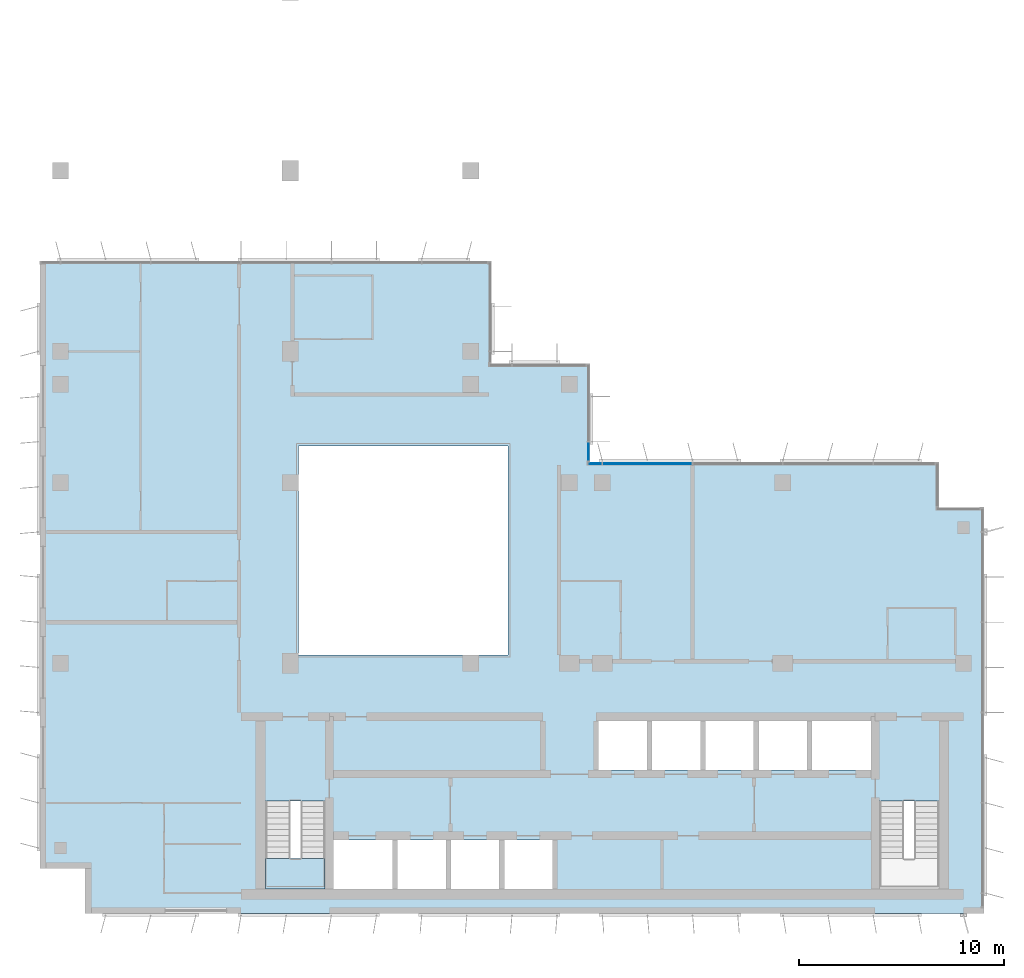
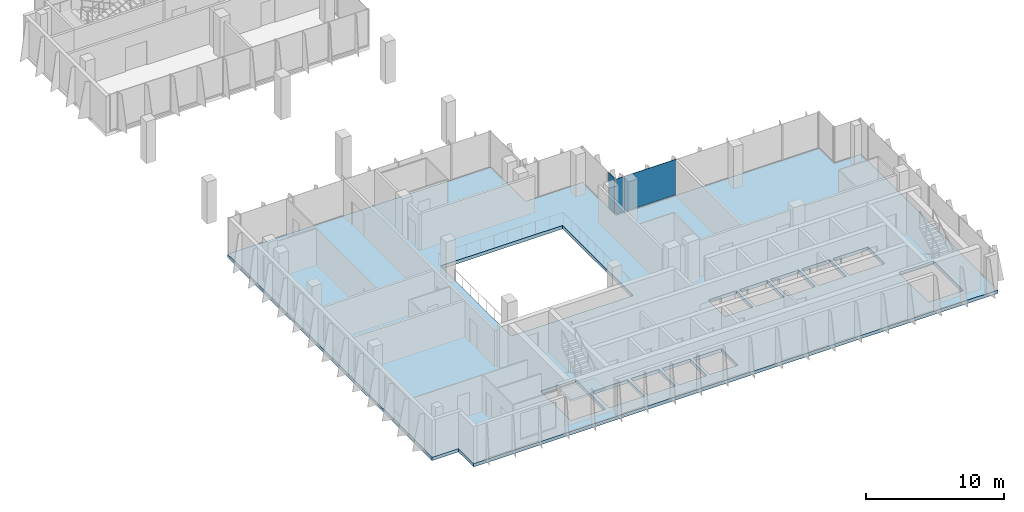
# One storey, part 6 of 13: 3 plates, 2 slabs, 3 elements without a shape of their own.
"""IFC4 building model written with IfcOpenShell, lengths in metres."""

from ifc_helpers import new_model, si_unit, direction, frame, origin, origin_2d, place, context, subcontext, project, spatial, polyline, rectangle, outline, extrude, source, transform, mapped, material, layer, layer_set, type_object, element, aggregate, save


model = new_model("IFC4")

# Units and contexts
model_context = context("Model", 3, precision=1e-05, world=origin(), true_north=direction((0.0, 1.0)))
body_context = subcontext(model_context, "Body", "Model", "MODEL_VIEW")
ifc_project = project(units=[si_unit("LENGTHUNIT", "METRE"), si_unit("AREAUNIT", "SQUARE_METRE"), si_unit("VOLUMEUNIT", "CUBIC_METRE"), si_unit("PLANEANGLEUNIT", "RADIAN"), si_unit("MASSUNIT", "GRAM", prefix="KILO")], contexts=[model_context])

# Site, building, storey
site_placement = place(None, origin())
site = spatial("IfcSite", under=ifc_project, at=site_placement, CompositionType="ELEMENT")
building_placement = place(site_placement, origin())
building = spatial("IfcBuilding", under=site, at=building_placement, Name="Kemantara Hotel Tower", CompositionType="ELEMENT")
storey_placement = place(building_placement, frame((0.0, 0.0, 252.39990234375)))
storey = spatial("IfcBuildingStorey", under=building, at=storey_placement, Name="L63", CompositionType="ELEMENT", Elevation=252.39990234375)

# Slab
ifc_material_1 = material(Name="Concrete fc 40 MPa", Category="concrete")
ifc_layer_1 = layer(ifc_material_1, 0.300048828125)
ifc_layer_set_1 = layer_set([ifc_layer_1], Name="Concrete fc 40 MPa")
slab_type_1 = type_object("IfcSlabType", Name="POST-TENSIONED FLAT PLATE 300", PredefinedType="FLOOR", material=ifc_layer_set_1)
slab_1_placement = place(storey_placement, frame((0.0, 0.0, -0.2998046875)))
element("IfcSlab", 1, at=slab_1_placement, inside=storey, type_object=slab_type_1, Name="FLOOR SLAB L63", PredefinedType="FLOOR", context=body_context, shape_type="SweptSolid", body=[
    extrude(outline(polyline([(26.800048828125, 22.0), (26.800048828125, 26.800048828125), (22.0, 26.800048828125), (22.0, 31.800048828125), (0.0, 31.800048828125), (0.0, 2.199951171875), (2.199951171875, 2.199951171875), (2.199951171875, 0.0), (46.0, 0.0), (46.0, 19.800048828125), (43.800048828125, 19.800048828125), (43.800048828125, 22.0), (26.800048828125, 22.0)]), holes=[polyline([(17.175048828125, 3.60009765625), (17.175048828125, 1.199951171875), (14.22509765625, 1.199951171875), (14.22509765625, 3.60009765625), (17.175048828125, 3.60009765625)]), polyline([(19.77490234375, 1.199951171875), (17.425048828125, 1.199951171875), (17.425048828125, 3.60009765625), (19.77490234375, 3.60009765625), (19.77490234375, 1.199951171875)]), polyline([(22.375, 1.199951171875), (20.02490234375, 1.199951171875), (20.02490234375, 3.60009765625), (22.375, 3.60009765625), (22.375, 1.199951171875)]), polyline([(24.97509765625, 3.60009765625), (24.97509765625, 1.199951171875), (22.625, 1.199951171875), (22.625, 3.60009765625), (24.97509765625, 3.60009765625)]), polyline([(11.0, 1.199951171875), (11.0, 5.49951171875), (13.89990234375, 5.49951171875), (13.89990234375, 1.199951171875), (11.0, 1.199951171875)]), polyline([(22.800048828125, 12.60009765625), (12.60009765625, 12.60009765625), (12.60009765625, 22.800048828125), (22.800048828125, 22.800048828125), (22.800048828125, 12.60009765625)]), polyline([(40.89990234375, 1.199951171875), (40.89990234375, 5.49951171875), (43.800048828125, 5.49951171875), (43.800048828125, 1.199951171875), (40.89990234375, 1.199951171875)]), polyline([(29.574951171875, 7.0), (27.22509765625, 7.0), (27.22509765625, 9.39990234375), (29.574951171875, 9.39990234375), (29.574951171875, 7.0)]), polyline([(32.175048828125, 7.0), (29.824951171875, 7.0), (29.824951171875, 9.39990234375), (32.175048828125, 9.39990234375), (32.175048828125, 7.0)]), polyline([(34.77490234375, 7.0), (32.425048828125, 7.0), (32.425048828125, 9.39990234375), (34.77490234375, 9.39990234375), (34.77490234375, 7.0)]), polyline([(37.375, 7.0), (35.02490234375, 7.0), (35.02490234375, 9.39990234375), (37.375, 9.39990234375), (37.375, 7.0)]), polyline([(40.574951171875, 7.0), (37.625, 7.0), (37.625, 9.39990234375), (40.574951171875, 9.39990234375), (40.574951171875, 7.0)])]), origin(), (0.0, 0.0, 1.0), 0.2998046875),
])

# Stair, slab
stair_type = type_object("IfcStairType", Name="Stair 1200 wide 22 risers of 168 x 280 mm", PredefinedType="HALF_TURN_STAIR", material=ifc_material_1)
stair_placement = place(storey_placement, origin())
stair = element("IfcStair", 2, at=stair_placement, inside=storey, type_object=stair_type, Name="L63 Exit stair ST1", PredefinedType="HALF_TURN_STAIR")
ifc_layer_2 = layer(ifc_material_1, 0.199951171875)
ifc_layer_set_2 = layer_set([ifc_layer_2], Name="Concrete fc 40 MPa")
slab_type_2 = type_object("IfcSlabType", Name="Stair landing 200 mm", PredefinedType="LANDING", material=ifc_layer_set_2)
slab_2_placement = place(storey_placement, frame((0.0, 0.0, 1.650146484375)))
slab_2 = element("IfcSlab", 3, at=slab_2_placement, type_object=slab_type_2, Name="ST1 landing 1", PredefinedType="LANDING", context=body_context, shape_type="SweptSolid", body=[
    extrude(outline(polyline([(11.0, 2.699951171875), (11.0, 1.199951171875), (13.89990234375, 1.199951171875), (13.89990234375, 2.699951171875), (11.0, 2.699951171875)])), origin(), (0.0, 0.0, 1.0), 0.199951171875),
])
aggregate(stair, [slab_2])

# Curtain wall, plates
ifc_material_2 = material(Name="Low-E tinted double insulated glass 36 mm", Category="glass")
curtain_wall_type = type_object("IfcCurtainWallType", Name="TOWER CURTAIN WALL, FRONT FACES", PredefinedType="USERDEFINED", material=ifc_material_2)
curtain_wall_1_placement = place(storey_placement, origin())
curtain_wall_1 = element("IfcCurtainWall", 4, at=curtain_wall_1_placement, inside=storey, type_object=curtain_wall_type, Name="CW4 L63 T4P-R09-1", ObjectType="TOWER CURTAIN WALL, FRONT FACES", PredefinedType="USERDEFINED")
ifc_layer_3 = layer(ifc_material_2, 0.035888671875)
ifc_layer_set_3 = layer_set([ifc_layer_3], Name="Low-E tinted double insulated glass 36 mm")
plate_type = type_object("IfcPlateType", Name="TOWER CURTAIN WALL, FRONT FACES PANEL", PredefinedType="CURTAIN_PANEL", material=ifc_layer_set_3)
shared_shape_1 = source(origin(), body_context, "Body", "SweptSolid", [
    extrude(rectangle(XDim=4.340087890625, YDim=0.035888671875, at=origin_2d()), origin(), (0.0, 0.0, 1.0), 3.1298828125),
])
plate_1_placement = place(storey_placement, frame((29.60009765625, 21.925048828125, 0.1201171875), z_axis=(0.0, 0.0, 1.0), x_axis=(-1.0, 0.0, 0.0)))
plate_1 = element("IfcPlate", 5, at=plate_1_placement, type_object=plate_type, Name="CW4 glass panel T4P-R09-1.4", PredefinedType="CURTAIN_PANEL", context=body_context, shape_type="MappedRepresentation", body=[
    mapped(shared_shape_1, transform((0.0, 0.0, 0.0))),
])
shared_shape_2 = source(origin(), body_context, "Body", "SweptSolid", [
    extrude(rectangle(XDim=0.659912109375, YDim=0.035888671875, at=origin_2d()), origin(), (0.0, 0.0, 1.0), 3.1298828125),
])
plate_2_placement = place(storey_placement, frame((27.0400390625, 21.925048828125, 0.1201171875), z_axis=(0.0, 0.0, 1.0), x_axis=(-1.0, 0.0, 0.0)))
plate_2 = element("IfcPlate", 6, at=plate_2_placement, type_object=plate_type, Name="CW4 glass panel T4P-R09-1.5", PredefinedType="CURTAIN_PANEL", context=body_context, shape_type="MappedRepresentation", body=[
    mapped(shared_shape_2, transform((0.0, 0.0, 0.0))),
])
aggregate(curtain_wall_1, [plate_1, plate_2])

# Curtain wall, plate
curtain_wall_2_placement = place(storey_placement, origin())
curtain_wall_2 = element("IfcCurtainWall", 7, at=curtain_wall_2_placement, inside=storey, type_object=curtain_wall_type, Name="CW4 L63 T4P-R10-1", ObjectType="TOWER CURTAIN WALL, FRONT FACES", PredefinedType="USERDEFINED")
shared_shape_3 = source(origin(), body_context, "Body", "SweptSolid", [
    extrude(rectangle(XDim=0.909912109375, YDim=0.035888671875, at=origin_2d()), origin(), (0.0, 0.0, 1.0), 3.1298828125),
])
plate_3_placement = place(storey_placement, frame((26.72509765625, 22.514892578125, 0.1201171875), z_axis=(0.0, 0.0, 1.0), x_axis=(0.0, 1.0, 0.0)))
plate_3 = element("IfcPlate", 8, at=plate_3_placement, type_object=plate_type, Name="CW4 glass panel T4P-R10-1.1", PredefinedType="CURTAIN_PANEL", context=body_context, shape_type="MappedRepresentation", body=[
    mapped(shared_shape_3, transform((0.0, 0.0, 0.0))),
])
aggregate(curtain_wall_2, [plate_3])

save(model, "model.ifc")
